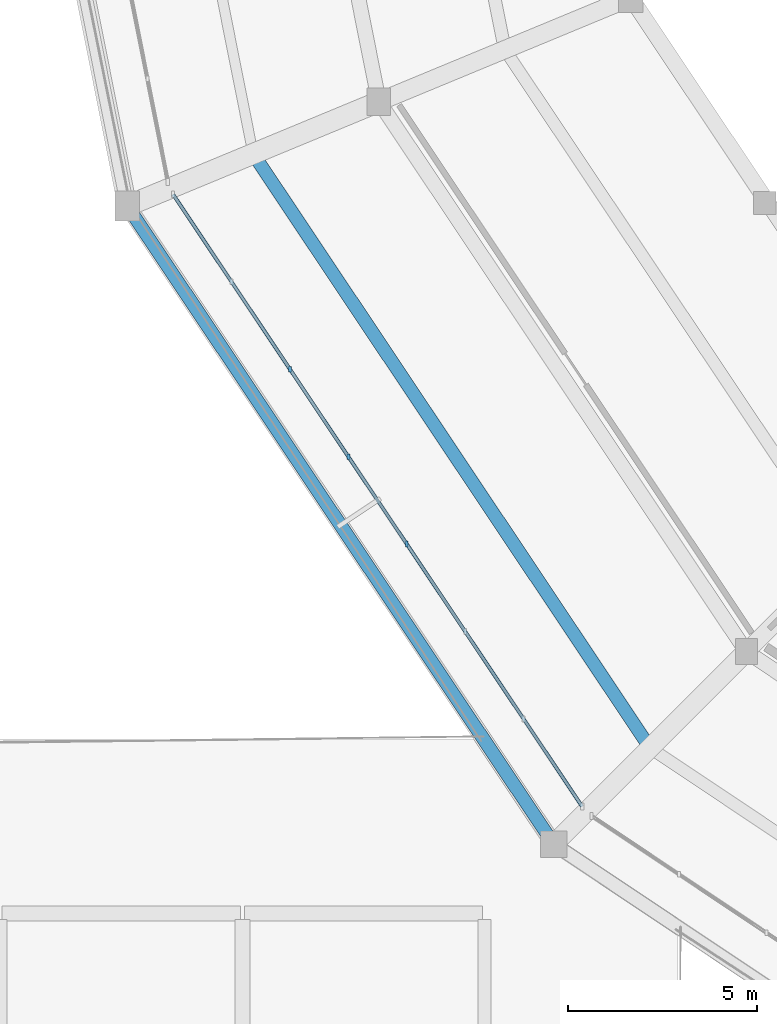
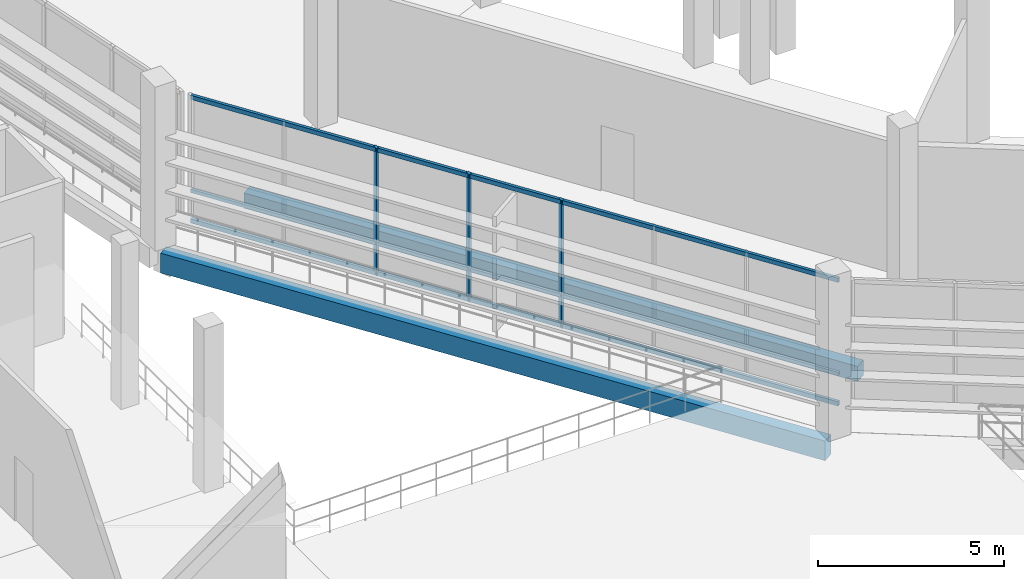
# One storey, part 13 of 111: 6 members, 2 beams, 1 element without a shape of its own.
"""IFC4 building model written with IfcOpenShell, lengths in metres."""

from ifc_helpers import new_model, si_unit, direction, frame, origin, origin_2d, place, context, subcontext, project, spatial, rectangle, extrude, material, material_profile, profile_set, type_object, element, aggregate, save


model = new_model("IFC4")

# Units and contexts
model_context = context("Model", 3, precision=1e-05, world=origin(), true_north=direction((0.0, 1.0)))
body_context = subcontext(model_context, "Body", "Model", "MODEL_VIEW")
ifc_project = project(units=[si_unit("LENGTHUNIT", "METRE"), si_unit("AREAUNIT", "SQUARE_METRE"), si_unit("VOLUMEUNIT", "CUBIC_METRE"), si_unit("PLANEANGLEUNIT", "RADIAN"), si_unit("MASSUNIT", "GRAM", prefix="KILO")], contexts=[model_context])

# Site, building, storey
site_placement = place(None, origin())
site = spatial("IfcSite", under=ifc_project, at=site_placement, CompositionType="ELEMENT")
building_placement = place(site_placement, origin())
building = spatial("IfcBuilding", under=site, at=building_placement, Name="Candeia Ridge Stadium", CompositionType="ELEMENT")
storey_placement = place(building_placement, frame((0.0, 0.0, 16.199951171875)))
storey = spatial("IfcBuildingStorey", under=building, at=storey_placement, Name="L03", CompositionType="ELEMENT", Elevation=16.199951171875)

# Curtain wall, members
ifc_material_1 = material(Name="Aluminium Anodized Warm Bronze", Category="aluminium")
curtain_wall_type = type_object("IfcCurtainWallType", Name="Concourse Recessed Unitised Curtain Wall", PredefinedType="NOTDEFINED", material=ifc_material_1)
curtain_wall_placement = place(storey_placement, origin())
curtain_wall = element("IfcCurtainWall", 1, at=curtain_wall_placement, inside=storey, type_object=curtain_wall_type, Name="Unitised curtain wall CW-BWL-L03-15", PredefinedType="NOTDEFINED")
ifc_material_profile_1 = material_profile(ifc_material_1, rectangle(XDim=0.074951171875, YDim=0.14990234375, at=origin_2d()), Name="CWM-75x150", Category="aluminium")
ifc_profile_set_1 = profile_set([ifc_material_profile_1], Name="Aluminium Anodized Warm Bronze")
member_type_1 = type_object("IfcMemberType", Name="Curtain Wall Secondary Mullion 75x150", PredefinedType="MULLION", material=ifc_profile_set_1)
member_1_placement = place(storey_placement, frame((27.256103515625, 46.78662109375, 0.0), z_axis=(0.0, 0.0, 1.0), x_axis=(1.0, 0.0, 0.0)))
member_1 = element("IfcMember", 2, at=member_1_placement, type_object=member_type_1, Name="Curtain wall mullion CW-BWL-L03-15-M2", PredefinedType="MULLION", context=body_context, shape_type="SweptSolid", body=[
    extrude(rectangle(XDim=0.074951171875, YDim=0.14990234375, at=origin_2d()), origin(), (0.0, 0.0, 1.0), 4.205078125),
])
member_2_placement = place(storey_placement, frame((28.80078125, 44.47509765625, 0.0), z_axis=(0.0, 0.0, 1.0), x_axis=(1.0, 0.0, 0.0)))
member_2 = element("IfcMember", 3, at=member_2_placement, type_object=member_type_1, Name="Curtain wall mullion CW-BWL-L03-15-M3", PredefinedType="MULLION", context=body_context, shape_type="SweptSolid", body=[
    extrude(rectangle(XDim=0.074951171875, YDim=0.14990234375, at=origin_2d()), origin(), (0.0, 0.0, 1.0), 4.205078125),
])
member_3_placement = place(storey_placement, frame((30.34521484375, 42.16357421875, 0.0), z_axis=(0.0, 0.0, 1.0), x_axis=(1.0, 0.0, 0.0)))
member_3 = element("IfcMember", 4, at=member_3_placement, type_object=member_type_1, Name="Curtain wall mullion CW-BWL-L03-15-M4", PredefinedType="MULLION", context=body_context, shape_type="SweptSolid", body=[
    extrude(rectangle(XDim=0.074951171875, YDim=0.14990234375, at=origin_2d()), origin(), (0.0, 0.0, 1.0), 4.205078125),
])
ifc_material_profile_2 = material_profile(ifc_material_1, rectangle(XDim=0.074951171875, YDim=0.110107421875, at=origin_2d()), Name="CWT-75x110", Category="aluminium")
ifc_profile_set_2 = profile_set([ifc_material_profile_2], Name="Aluminium Anodized Warm Bronze")
member_type_2 = type_object("IfcMemberType", Name="Curtain Wall Secondary Transom 75x110", PredefinedType="USERDEFINED", material=ifc_profile_set_2)
member_4_placement = place(storey_placement, frame((24.1669921875, 51.409912109375, 1.05126953125), z_axis=(0.555568394863, -0.831470840517, 0.0), x_axis=(0.831470840517, 0.555568394863, 0.0)))
member_4 = element("IfcMember", 5, at=member_4_placement, type_object=member_type_2, Name="Curtain wall transom CW-BWL-L03-15-T1", ObjectType="TRANSOM", PredefinedType="USERDEFINED", context=body_context, shape_type="SweptSolid", body=[
    extrude(rectangle(XDim=0.074951171875, YDim=0.110107421875, at=origin_2d()), origin(), (0.0, 0.0, 1.0), 19.461181640625),
])
ifc_material_profile_3 = material_profile(ifc_material_1, rectangle(XDim=0.090087890625, YDim=0.139892578125, at=origin_2d()), Name="CWT-90x140", Category="aluminium")
ifc_profile_set_3 = profile_set([ifc_material_profile_3], Name="Aluminium Anodized Warm Bronze")
member_type_3 = type_object("IfcMemberType", Name="Curtain Wall Transom 90x140", PredefinedType="USERDEFINED", material=ifc_profile_set_3)
member_5_placement = place(storey_placement, frame((24.1669921875, 51.409912109375, 0.070068359375), z_axis=(0.555568394863, -0.831470840517, 0.0), x_axis=(0.831470840517, 0.555568394863, 0.0)))
member_5 = element("IfcMember", 6, at=member_5_placement, type_object=member_type_3, Name="Curtain wall transom CW-BWL-L03-15-T0", ObjectType="TRANSOM", PredefinedType="USERDEFINED", context=body_context, shape_type="SweptSolid", body=[
    extrude(rectangle(XDim=0.090087890625, YDim=0.139892578125, at=origin_2d()), origin(), (0.0, 0.0, 1.0), 19.461181640625),
])
member_6_placement = place(storey_placement, frame((24.1669921875, 51.409912109375, 4.135009765625), z_axis=(0.555568394863, -0.831470840517, 0.0), x_axis=(0.831470840517, 0.555568394863, 0.0)))
member_6 = element("IfcMember", 7, at=member_6_placement, type_object=member_type_3, Name="Curtain wall transom CW-BWL-L03-15-T2", ObjectType="TRANSOM", PredefinedType="USERDEFINED", context=body_context, shape_type="SweptSolid", body=[
    extrude(rectangle(XDim=0.090087890625, YDim=0.139892578125, at=origin_2d()), origin(), (0.0, 0.0, 1.0), 19.461181640625),
])
aggregate(curtain_wall, [member_1, member_2, member_3, member_5, member_4, member_6])

# Beams
ifc_material_2 = material(Name="Concrete C40/50", Category="concrete")
ifc_material_profile_4 = material_profile(ifc_material_2, rectangle(XDim=0.35009765625, YDim=0.5, at=origin_2d()), Name="RC350x500", Category="concrete")
ifc_profile_set_4 = profile_set([ifc_material_profile_4], Name="Concrete C40/50")
beam_type_1 = type_object("IfcBeamType", Name="Floor Joist RC350x500", PredefinedType="JOIST", material=ifc_profile_set_4)
beam_1_placement = place(storey_placement, frame((26.407470703125, 52.29345703125, -0.5), z_axis=(0.555573683674, -0.831467306639, 0.0), x_axis=(0.831467306639, 0.555573683674, 0.0)))
element("IfcBeam", 8, at=beam_1_placement, inside=storey, type_object=beam_type_1, Name="Concourse secondary joist BM-L03-0627", PredefinedType="JOIST", context=body_context, shape_type="SweptSolid", body=[
    extrude(rectangle(XDim=0.35009765625, YDim=0.5, at=origin_2d()), origin(), (0.0, 0.0, 1.0), 18.440673828125),
])
ifc_material_profile_5 = material_profile(ifc_material_2, rectangle(XDim=0.35009765625, YDim=0.64990234375, at=origin_2d()), Name="RC350x650", Category="concrete")
ifc_profile_set_5 = profile_set([ifc_material_profile_5], Name="Concrete C40/50")
beam_type_2 = type_object("IfcBeamType", Name="Spandrel Beam RC350x650", PredefinedType="SPANDREL", material=ifc_profile_set_5)
beam_2_placement = place(storey_placement, frame((23.047119140625, 50.967529296875, -0.574951171875), z_axis=(0.555571676938, -0.831468647505, 0.0), x_axis=(0.831468647505, 0.555571676938, 0.0)))
element("IfcBeam", 9, at=beam_2_placement, inside=storey, type_object=beam_type_2, Name="Bowl perimeter spandrel BM-L03-0625", PredefinedType="SPANDREL", context=body_context, shape_type="SweptSolid", body=[
    extrude(rectangle(XDim=0.35009765625, YDim=0.64990234375, at=origin_2d()), origin(), (0.0, 0.0, 1.0), 19.969482421875),
])

save(model, "model.ifc")
